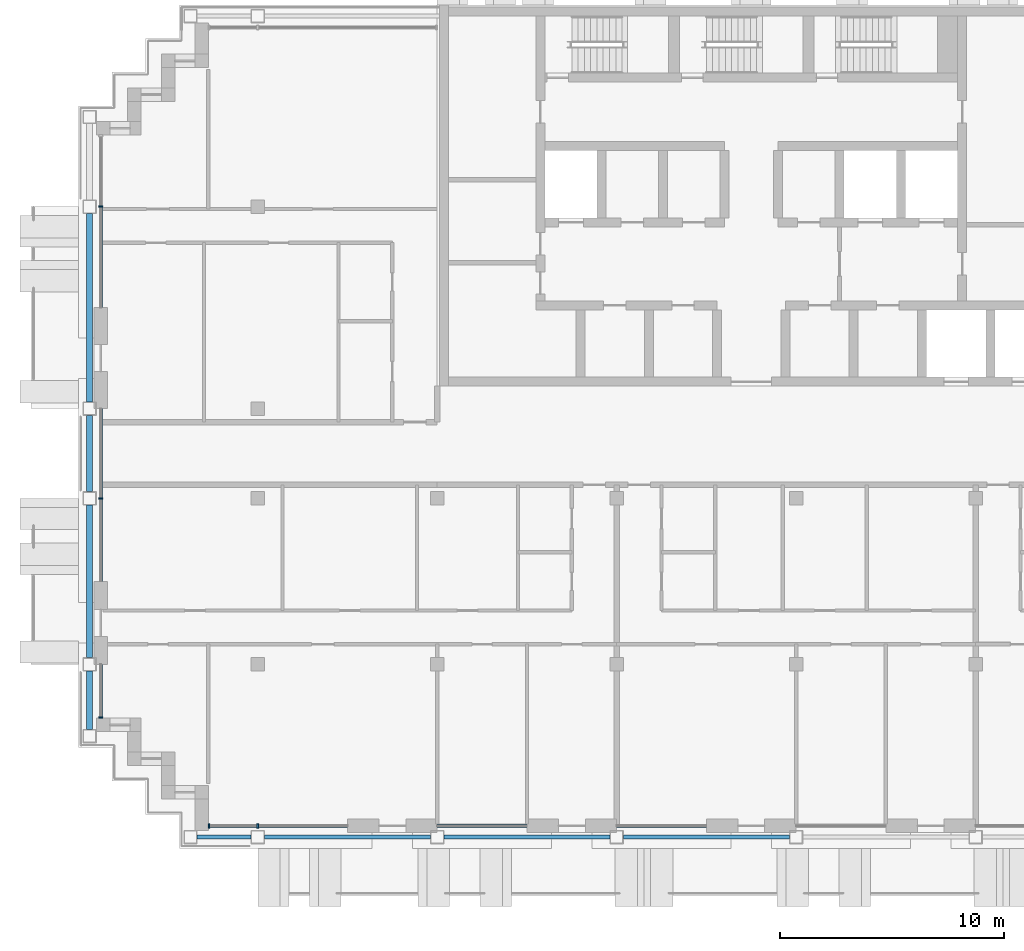
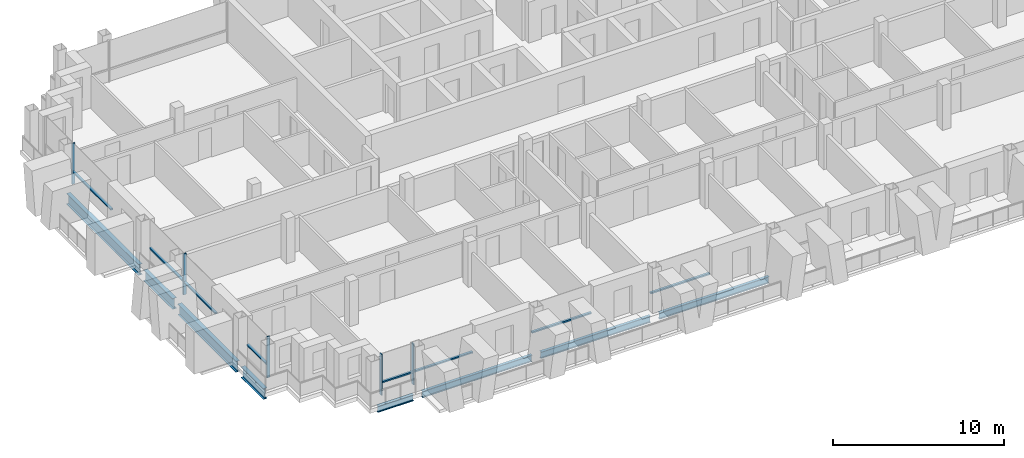
# One storey, part 2 of 15: 13 members, 8 beams, 6 elements without a shape of their own.
"""IFC4 building model written with IfcOpenShell, lengths in metres."""

from ifc_helpers import new_model, si_unit, direction, frame, origin, origin_2d, place, context, subcontext, project, spatial, rectangle, i_section, extrude, material, material_profile, profile_set, type_object, element, aggregate, save


model = new_model("IFC4")

# Units and contexts
model_context = context("Model", 3, precision=1e-05, world=origin(), true_north=direction((0.0, 1.0)))
body_context = subcontext(model_context, "Body", "Model", "MODEL_VIEW")
ifc_project = project(units=[si_unit("LENGTHUNIT", "METRE"), si_unit("AREAUNIT", "SQUARE_METRE"), si_unit("VOLUMEUNIT", "CUBIC_METRE"), si_unit("PLANEANGLEUNIT", "RADIAN"), si_unit("MASSUNIT", "GRAM", prefix="KILO")], contexts=[model_context])

# Site, building, storey
site_placement = place(None, origin())
site = spatial("IfcSite", under=ifc_project, at=site_placement, CompositionType="ELEMENT")
building_placement = place(site_placement, origin())
building = spatial("IfcBuilding", under=site, at=building_placement, Name="Vidyagriha Tower", CompositionType="ELEMENT")
storey_placement = place(building_placement, frame((0.0, 0.0, 226.800048828125)))
storey = spatial("IfcBuildingStorey", under=building, at=storey_placement, Name="L59", CompositionType="ELEMENT", Elevation=226.800048828125)

# Beams
ifc_material_1 = material(Name="Steel ASTM A992 Grade 50", Category="steel")
ifc_material_profile_1 = material_profile(ifc_material_1, i_section(OverallWidth=0.2666015625, OverallDepth=0.76953125, WebThickness=0.015625, FlangeThickness=0.025390625, at=origin_2d()), Name="W30X132")
ifc_profile_set_1 = profile_set([ifc_material_profile_1], Name="Steel ASTM A992 Grade 50")
beam_type_1 = type_object("IfcBeamType", Name="Cantilever edge beam W30X132", PredefinedType="SPANDREL", material=ifc_profile_set_1)
beam_1_placement = place(storey_placement, frame((-29.5, -12.300048828125, -0.664794921875), z_axis=(0.0, 1.0, 0.0), x_axis=(-1.0, 0.0, 0.0)))
element("IfcBeam", 1, at=beam_1_placement, inside=storey, type_object=beam_type_1, Name="st-beam-L59-W08", PredefinedType="SPANDREL", context=body_context, shape_type="SweptSolid", body=[
    extrude(i_section(OverallWidth=0.2666015625, OverallDepth=0.76953125, WebThickness=0.015625, FlangeThickness=0.025390625, at=origin_2d()), origin(), (0.0, 0.0, 1.0), 2.60009765625),
])
beam_2_placement = place(storey_placement, frame((-29.5, -9.10009765625, -0.664794921875), z_axis=(0.0, 1.0, 0.0), x_axis=(-1.0, 0.0, 0.0)))
element("IfcBeam", 2, at=beam_2_placement, inside=storey, type_object=beam_type_1, Name="st-beam-L59-W09", PredefinedType="SPANDREL", context=body_context, shape_type="SweptSolid", body=[
    extrude(i_section(OverallWidth=0.2666015625, OverallDepth=0.76953125, WebThickness=0.015625, FlangeThickness=0.025390625, at=origin_2d()), origin(), (0.0, 0.0, 1.0), 6.800048828125),
])
beam_3_placement = place(storey_placement, frame((-29.5, -1.699951171875, -0.664794921875), z_axis=(0.0, 1.0, 0.0), x_axis=(-1.0, 0.0, 0.0)))
element("IfcBeam", 3, at=beam_3_placement, inside=storey, type_object=beam_type_1, Name="st-beam-L59-W10", PredefinedType="SPANDREL", context=body_context, shape_type="SweptSolid", body=[
    extrude(i_section(OverallWidth=0.2666015625, OverallDepth=0.76953125, WebThickness=0.015625, FlangeThickness=0.025390625, at=origin_2d()), origin(), (0.0, 0.0, 1.0), 3.39990234375),
])
beam_4_placement = place(storey_placement, frame((-29.5, 2.300048828125, -0.664794921875), z_axis=(0.0, 1.0, 0.0), x_axis=(-1.0, 0.0, 0.0)))
element("IfcBeam", 4, at=beam_4_placement, inside=storey, type_object=beam_type_1, Name="st-beam-L59-W11", PredefinedType="SPANDREL", context=body_context, shape_type="SweptSolid", body=[
    extrude(i_section(OverallWidth=0.2666015625, OverallDepth=0.76953125, WebThickness=0.015625, FlangeThickness=0.025390625, at=origin_2d()), origin(), (0.0, 0.0, 1.0), 8.39990234375),
])
ifc_material_2 = material(Name="Steel ASTM A992 Grade 50", Category="steel")
ifc_material_profile_2 = material_profile(ifc_material_2, i_section(OverallWidth=0.19189453125, OverallDepth=0.46240234375, WebThickness=0.010498046875, FlangeThickness=0.017578125, at=origin_2d()), Name="W18X60")
ifc_profile_set_2 = profile_set([ifc_material_profile_2], Name="Steel ASTM A992 Grade 50")
beam_type_2 = type_object("IfcBeamType", Name="Edge beam W18X60", PredefinedType="SPANDREL", material=ifc_profile_set_2)
beam_5_placement = place(storey_placement, frame((-24.699951171875, -17.10009765625, -0.51123046875), z_axis=(1.0, 0.0, 0.0), x_axis=(0.0, 1.0, 0.0)))
element("IfcBeam", 5, at=beam_5_placement, inside=storey, type_object=beam_type_2, Name="st-beam-L59-S01", PredefinedType="SPANDREL", context=body_context, shape_type="SweptSolid", body=[
    extrude(i_section(OverallWidth=0.19189453125, OverallDepth=0.46240234375, WebThickness=0.010498046875, FlangeThickness=0.017578125, at=origin_2d()), origin(), (0.0, 0.0, 1.0), 2.39990234375),
])
for number, where, z_axis, x_axis, name in (
    (6, (-21.699951171875, -17.10009765625, -0.51123046875), (1.0, 0.0, 0.0), (0.0, 1.0, 0.0), "st-beam-L59-S02"),
    (7, (-13.699951171875, -17.10009765625, -0.51123046875), (1.0, 0.0, 0.0), (0.0, 1.0, 0.0), "st-beam-L59-S03"),
    (8, (-5.699951171875, -17.10009765625, -0.51123046875), (1.0, 0.0, 0.0), (0.0, 1.0, 0.0), "st-beam-L59-S04"),
):
    element("IfcBeam", number, at=place(storey_placement, frame(where, z_axis=z_axis, x_axis=x_axis)), inside=storey, type_object=beam_type_2, Name=name, PredefinedType="SPANDREL", context=body_context, shape_type="SweptSolid", body=[
        extrude(i_section(OverallWidth=0.19189453125, OverallDepth=0.46240234375, WebThickness=0.010498046875, FlangeThickness=0.017578125, at=origin_2d()), origin(), (0.0, 0.0, 1.0), 7.39990234375),
    ])

# Curtain wall, member
ifc_material_3 = material(Name="Aluminium and glass curtain wall", Category="aluminium")
curtain_wall_type = type_object("IfcCurtainWallType", Name="Dwelling skin unitised curtain wall", PredefinedType="USERDEFINED", material=ifc_material_3)
curtain_wall_1_placement = place(storey_placement, origin())
curtain_wall_1 = element("IfcCurtainWall", 9, at=curtain_wall_1_placement, inside=storey, type_object=curtain_wall_type, Name="CW1 dwelling skin", ObjectType="UNITISED", PredefinedType="USERDEFINED")
ifc_material_4 = material(Name="Aluminium black anodised", Category="aluminium")
ifc_material_profile_3 = material_profile(ifc_material_4, rectangle(XDim=0.199951171875, YDim=0.070068359375, at=origin_2d()), Name="Mullion 70x200 black aluminium")
ifc_profile_set_3 = profile_set([ifc_material_profile_3], Name="Aluminium black anodised")
member_type_1 = type_object("IfcMemberType", Name="Mullion 70x200 black aluminium", PredefinedType="MULLION", material=ifc_profile_set_3)
member_1_placement = place(storey_placement, frame((-29.0, 11.0, 0.0)))
member_1 = element("IfcMember", 10, at=member_1_placement, type_object=member_type_1, Name="CW1 mullion 2", PredefinedType="MULLION", context=body_context, shape_type="SweptSolid", body=[
    extrude(rectangle(XDim=0.199951171875, YDim=0.070068359375, at=origin_2d()), origin(), (0.0, 0.0, 1.0), 2.919921875),
])

curtain_wall_2_placement = place(storey_placement, origin())
curtain_wall_2 = element("IfcCurtainWall", 11, at=curtain_wall_2_placement, inside=storey, type_object=curtain_wall_type, Name="CW1 dwelling skin", ObjectType="UNITISED", PredefinedType="USERDEFINED")
member_2_placement = place(storey_placement, frame((-29.0, -2.0, 0.0)))
member_2 = element("IfcMember", 12, at=member_2_placement, type_object=member_type_1, Name="CW1 mullion 2", PredefinedType="MULLION", context=body_context, shape_type="SweptSolid", body=[
    extrude(rectangle(XDim=0.199951171875, YDim=0.070068359375, at=origin_2d()), origin(), (0.0, 0.0, 1.0), 2.919921875),
])

curtain_wall_3_placement = place(storey_placement, origin())
curtain_wall_3 = element("IfcCurtainWall", 13, at=curtain_wall_3_placement, inside=storey, type_object=curtain_wall_type, Name="CW1 dwelling skin", ObjectType="UNITISED", PredefinedType="USERDEFINED")
member_3_placement = place(storey_placement, frame((-29.0, -11.764892578125, 0.0)))
member_3 = element("IfcMember", 14, at=member_3_placement, type_object=member_type_1, Name="CW1 mullion 2", PredefinedType="MULLION", context=body_context, shape_type="SweptSolid", body=[
    extrude(rectangle(XDim=0.199951171875, YDim=0.070068359375, at=origin_2d()), origin(), (0.0, 0.0, 1.0), 2.919921875),
])

# Curtain wall, members
curtain_wall_4_placement = place(storey_placement, origin())
curtain_wall_4 = element("IfcCurtainWall", 15, at=curtain_wall_4_placement, inside=storey, type_object=curtain_wall_type, Name="CW1 dwelling skin", ObjectType="UNITISED", PredefinedType="USERDEFINED")
member_4_placement = place(storey_placement, frame((-24.1650390625, -16.60009765625, 0.0), z_axis=(0.0, 0.0, 1.0), x_axis=(0.0, 1.0, 0.0)))
member_4 = element("IfcMember", 16, at=member_4_placement, type_object=member_type_1, Name="CW1 mullion 1", PredefinedType="MULLION", context=body_context, shape_type="SweptSolid", body=[
    extrude(rectangle(XDim=0.199951171875, YDim=0.070068359375, at=origin_2d()), origin(), (0.0, 0.0, 1.0), 2.919921875),
])
member_5_placement = place(storey_placement, frame((-22.0, -16.60009765625, 0.0), z_axis=(0.0, 0.0, 1.0), x_axis=(0.0, 1.0, 0.0)))
member_5 = element("IfcMember", 17, at=member_5_placement, type_object=member_type_1, Name="CW1 mullion 2", PredefinedType="MULLION", context=body_context, shape_type="SweptSolid", body=[
    extrude(rectangle(XDim=0.199951171875, YDim=0.070068359375, at=origin_2d()), origin(), (0.0, 0.0, 1.0), 2.919921875),
])

# Member
ifc_material_5 = material(Name="Aluminium black anodised", Category="aluminium")
ifc_material_profile_4 = material_profile(ifc_material_5, rectangle(XDim=0.159912109375, YDim=0.10009765625, at=origin_2d()), Name="Transom 100x160 black aluminium")
ifc_profile_set_4 = profile_set([ifc_material_profile_4], Name="Aluminium black anodised")
member_type_2 = type_object("IfcMemberType", Name="Transom 100x160 black aluminium", PredefinedType="USERDEFINED", material=ifc_profile_set_4)
member_6_placement = place(storey_placement, frame((-29.0, 10.965087890625, 0.89990234375), z_axis=(0.0, -1.0, 0.0), x_axis=(1.0, 0.0, 0.0)))
member_6 = element("IfcMember", 18, at=member_6_placement, type_object=member_type_2, Name="CW1 transom 2.1", ObjectType="TRANSOM", PredefinedType="USERDEFINED", context=body_context, shape_type="SweptSolid", body=[
    extrude(rectangle(XDim=0.159912109375, YDim=0.10009765625, at=origin_2d()), origin(), (0.0, 0.0, 1.0), 4.465087890625),
])

aggregate(curtain_wall_1, [member_1, member_6])

member_7_placement = place(storey_placement, frame((-29.0, 2.0, 0.89990234375), z_axis=(0.0, -1.0, 0.0), x_axis=(1.0, 0.0, 0.0)))
member_7 = element("IfcMember", 19, at=member_7_placement, type_object=member_type_2, Name="CW1 transom 1.1", ObjectType="TRANSOM", PredefinedType="USERDEFINED", context=body_context, shape_type="SweptSolid", body=[
    extrude(rectangle(XDim=0.159912109375, YDim=0.10009765625, at=origin_2d()), origin(), (0.0, 0.0, 1.0), 3.965087890625),
])

member_8_placement = place(storey_placement, frame((-29.0, -2.034912109375, 0.89990234375), z_axis=(0.0, -1.0, 0.0), x_axis=(1.0, 0.0, 0.0)))
member_8 = element("IfcMember", 20, at=member_8_placement, type_object=member_type_2, Name="CW1 transom 2.1", ObjectType="TRANSOM", PredefinedType="USERDEFINED", context=body_context, shape_type="SweptSolid", body=[
    extrude(rectangle(XDim=0.159912109375, YDim=0.10009765625, at=origin_2d()), origin(), (0.0, 0.0, 1.0), 3.6650390625),
])

aggregate(curtain_wall_2, [member_2, member_7, member_8])

member_9_placement = place(storey_placement, frame((-29.0, -9.39990234375, 0.89990234375), z_axis=(0.0, -1.0, 0.0), x_axis=(1.0, 0.0, 0.0)))
member_9 = element("IfcMember", 21, at=member_9_placement, type_object=member_type_2, Name="CW1 transom 1.1", ObjectType="TRANSOM", PredefinedType="USERDEFINED", context=body_context, shape_type="SweptSolid", body=[
    extrude(rectangle(XDim=0.159912109375, YDim=0.10009765625, at=origin_2d()), origin(), (0.0, 0.0, 1.0), 2.330078125),
])

aggregate(curtain_wall_3, [member_3, member_9])

member_10_placement = place(storey_placement, frame((-24.1298828125, -16.60009765625, 0.89990234375), z_axis=(1.0, 0.0, 0.0), x_axis=(0.0, 1.0, 0.0)))
member_10 = element("IfcMember", 22, at=member_10_placement, type_object=member_type_2, Name="CW1 transom 1.1", ObjectType="TRANSOM", PredefinedType="USERDEFINED", context=body_context, shape_type="SweptSolid", body=[
    extrude(rectangle(XDim=0.159912109375, YDim=0.10009765625, at=origin_2d()), origin(), (0.0, 0.0, 1.0), 2.094970703125),
])

member_11_placement = place(storey_placement, frame((-21.965087890625, -16.60009765625, 0.89990234375), z_axis=(1.0, 0.0, 0.0), x_axis=(0.0, 1.0, 0.0)))
member_11 = element("IfcMember", 23, at=member_11_placement, type_object=member_type_2, Name="CW1 transom 2.1", ObjectType="TRANSOM", PredefinedType="USERDEFINED", context=body_context, shape_type="SweptSolid", body=[
    extrude(rectangle(XDim=0.159912109375, YDim=0.10009765625, at=origin_2d()), origin(), (0.0, 0.0, 1.0), 3.965087890625),
])

aggregate(curtain_wall_4, [member_4, member_5, member_10, member_11])

# Curtain wall, member
curtain_wall_5_placement = place(storey_placement, origin())
curtain_wall_5 = element("IfcCurtainWall", 24, at=curtain_wall_5_placement, inside=storey, type_object=curtain_wall_type, Name="CW1 dwelling skin", ObjectType="UNITISED", PredefinedType="USERDEFINED")
member_12_placement = place(storey_placement, frame((-14.0, -16.60009765625, 0.89990234375), z_axis=(1.0, 0.0, 0.0), x_axis=(0.0, 1.0, 0.0)))
member_12 = element("IfcMember", 25, at=member_12_placement, type_object=member_type_2, Name="CW1 transom 1.1", ObjectType="TRANSOM", PredefinedType="USERDEFINED", context=body_context, shape_type="SweptSolid", body=[
    extrude(rectangle(XDim=0.159912109375, YDim=0.10009765625, at=origin_2d()), origin(), (0.0, 0.0, 1.0), 4.0),
])
aggregate(curtain_wall_5, [member_12])

curtain_wall_6_placement = place(storey_placement, origin())
curtain_wall_6 = element("IfcCurtainWall", 26, at=curtain_wall_6_placement, inside=storey, type_object=curtain_wall_type, Name="CW1 dwelling skin", ObjectType="UNITISED", PredefinedType="USERDEFINED")
member_13_placement = place(storey_placement, frame((-6.0, -16.60009765625, 0.89990234375), z_axis=(1.0, 0.0, 0.0), x_axis=(0.0, 1.0, 0.0)))
member_13 = element("IfcMember", 27, at=member_13_placement, type_object=member_type_2, Name="CW1 transom 1.1", ObjectType="TRANSOM", PredefinedType="USERDEFINED", context=body_context, shape_type="SweptSolid", body=[
    extrude(rectangle(XDim=0.159912109375, YDim=0.10009765625, at=origin_2d()), origin(), (0.0, 0.0, 1.0), 4.0),
])
aggregate(curtain_wall_6, [member_13])

save(model, "model.ifc")
